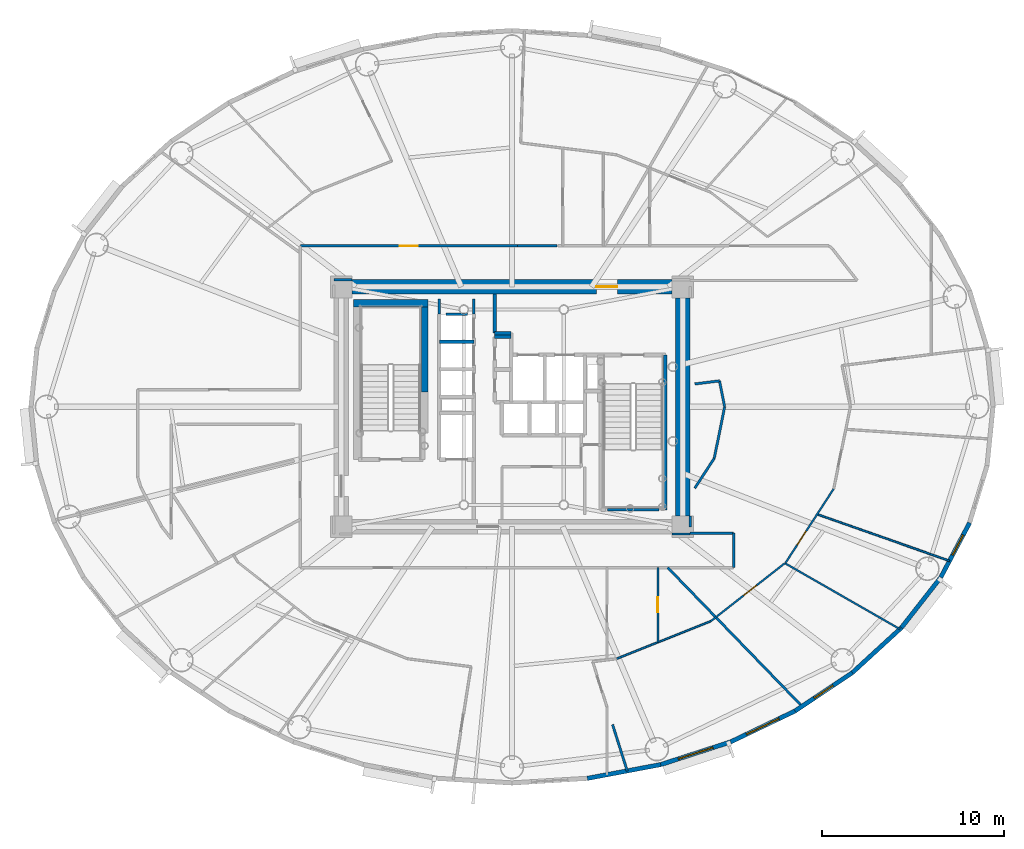
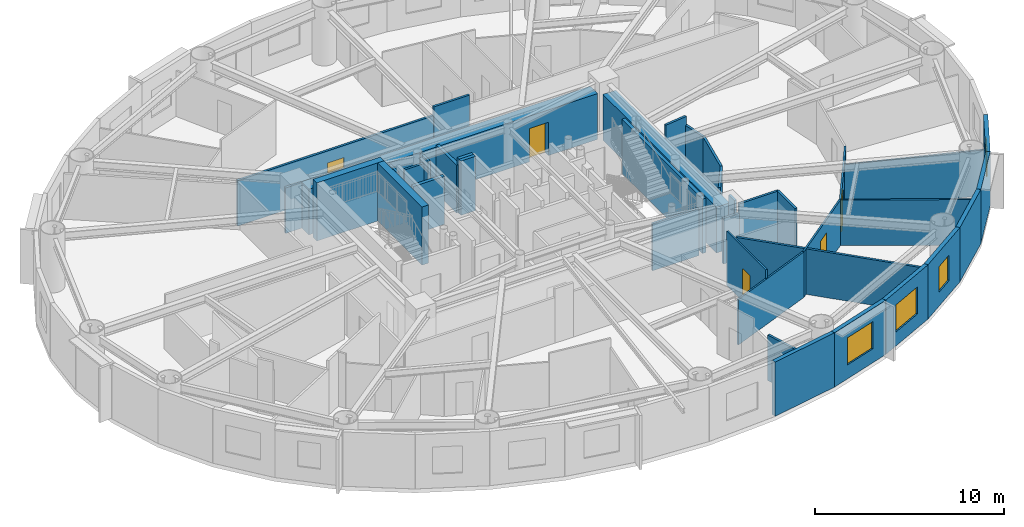
# One storey, part 9 of 17: 39 walls, 5 doors, 4 windows, 9 openings.
"""IFC4 building model written with IfcOpenShell, lengths in metres."""

import ifcopenshell
import ifcopenshell.guid

model = None  # the IFC model being written
_history = None  # IfcOwnerHistory: only IFC2X3 demands one
_inside = {}  # id of a spatial element -> (the spatial element, [elements in it])
_under = {}  # id of a project, library or spatial element -> (it, [spatial elements below it])
_declared = {}  # id of a project -> (the project, [libraries it declares])
_typed = {}  # id of a type object -> (the type object, [elements of that type])
_made_of = {}  # id of a material, layer set ... -> (it, [elements and type objects made of it])


def new_model(schema):
    """Start an empty IFC model of exactly this schema.

    Asked for "IFC4X3", IfcOpenShell would pick the latest addendum, in which some entities
    have other attributes; the version numbers below select the first issue.
    IFC2X3 requires an IfcOwnerHistory on every rooted entity: one is made here for all.
    """
    global model, _history
    if schema == "IFC4X3":
        model = ifcopenshell.file(schema_version=(4, 3, 0, 0))
    else:
        model = ifcopenshell.file(schema=schema)
    _inside.clear()
    _under.clear()
    _declared.clear()
    _typed.clear()
    _made_of.clear()
    _history = None
    if model.schema == "IFC2X3":
        org = make("IfcOrganization", Name="unknown")
        user = make(
            "IfcPersonAndOrganization",
            ThePerson=make("IfcPerson", FamilyName="unknown"),
            TheOrganization=org,
        )
        app = make(
            "IfcApplication",
            ApplicationDeveloper=org,
            Version="unknown",
            ApplicationFullName="unknown",
            ApplicationIdentifier="unknown",
        )
        _history = make(
            "IfcOwnerHistory",
            OwningUser=user,
            OwningApplication=app,
            ChangeAction="ADDED",
            CreationDate=0,
        )
    return model


def make(cls, **values):
    """One entity of the class cls with the attributes given. An attribute that is None is left unset."""
    return model.create_entity(
        cls, **{name: value for name, value in values.items() if value is not None}
    )


def rooted(cls, **values):
    """An entity with a GlobalId (a new one), such as an element, a storey or a relation."""
    return make(cls, GlobalId=ifcopenshell.guid.new(), OwnerHistory=_history, **values)


def si_unit(unit_type, name, prefix=None):
    """IfcSIUnit, for example si_unit("LENGTHUNIT", "METRE", prefix="MILLI")."""
    return make("IfcSIUnit", UnitType=unit_type, Prefix=prefix, Name=name)


def assignment(units):
    """IfcUnitAssignment: the units of a project."""
    return None if units is None else make("IfcUnitAssignment", Units=units)


def point(xyz):
    """IfcCartesianPoint."""
    return None if xyz is None else make("IfcCartesianPoint", Coordinates=xyz)


def direction(xyz):
    """IfcDirection."""
    return None if xyz is None else make("IfcDirection", DirectionRatios=xyz)


def frame(location, z_axis=None, x_axis=None):
    """IfcAxis2Placement3D, a coordinate frame: its origin and axes. An axis left out is left unset."""
    return make(
        "IfcAxis2Placement3D",
        Location=point(location),
        Axis=direction(z_axis),
        RefDirection=direction(x_axis),
    )


def frame_2d(location, x_axis=None):
    """IfcAxis2Placement2D, a coordinate frame in the plane: its origin and x axis."""
    return make(
        "IfcAxis2Placement2D", Location=point(location), RefDirection=direction(x_axis)
    )


def origin():
    """The frame at (0, 0, 0) with its axes left unset."""
    return frame((0.0, 0.0, 0.0))


def origin_2d():
    """The frame at (0, 0) in the plane with its x axis left unset."""
    return frame_2d((0.0, 0.0))


def place(relative_to, where):
    """IfcLocalPlacement: puts the frame where relative to a parent placement (None: the world)."""
    return make(
        "IfcLocalPlacement", PlacementRelTo=relative_to, RelativePlacement=where
    )


def context(
    kind, dimensions, precision=None, world=None, true_north=None, identifier=None
):
    """IfcGeometricRepresentationContext, for example the 3D "Model" context."""
    return make(
        "IfcGeometricRepresentationContext",
        ContextIdentifier=identifier,
        ContextType=kind,
        CoordinateSpaceDimension=dimensions,
        Precision=precision,
        WorldCoordinateSystem=world,
        TrueNorth=true_north,
    )


def subcontext(parent, identifier, kind, view, scale=None):
    """IfcGeometricRepresentationSubContext, for example "Body" below "Model"."""
    return make(
        "IfcGeometricRepresentationSubContext",
        ContextIdentifier=identifier,
        ContextType=kind,
        ParentContext=parent,
        TargetScale=scale,
        TargetView=view,
    )


def project(units=None, contexts=None):
    """IfcProject with its units and contexts."""
    return rooted(
        "IfcProject",
        Name="project",
        RepresentationContexts=contexts,
        UnitsInContext=assignment(units),
    )


def spatial(cls, under=None, at=None, **own):
    """A site, building, storey or space (cls), placed at a placement, below another one or the project."""
    s = rooted(cls, ObjectPlacement=at, **own)
    if under is not None:
        _under.setdefault(under.id(), (under, []))[1].append(s)
    return s


def profile(cls, at=None, kind="AREA", **sizes):
    """A parametric profile (cls). Its sizes go by their IFC names, for example OverallWidth=200.0."""
    return make(cls, ProfileType=kind, Position=at, **sizes)


def rectangle(**sizes):
    """IfcRectangleProfileDef."""
    return profile("IfcRectangleProfileDef", **sizes)


def extrude(swept, where, along, depth):
    """IfcExtrudedAreaSolid: the profile swept, set in the frame where, extruded along a direction by depth."""
    return make(
        "IfcExtrudedAreaSolid",
        SweptArea=swept,
        Position=where,
        ExtrudedDirection=direction(along),
        Depth=depth,
    )


def shape(context_of_items, identifier, shape_type, items):
    """IfcShapeRepresentation: the items that make up one representation, for example the "Body"."""
    return make(
        "IfcShapeRepresentation",
        ContextOfItems=context_of_items,
        RepresentationIdentifier=identifier,
        RepresentationType=shape_type,
        Items=items,
    )


def source(mapping_origin, context_of_items, identifier, shape_type, items):
    """IfcRepresentationMap: a shape defined once, which mapped items show again and again."""
    return make(
        "IfcRepresentationMap",
        MappingOrigin=mapping_origin,
        MappedRepresentation=shape(context_of_items, identifier, shape_type, items),
    )


def transform(
    local_origin,
    x_axis=None,
    y_axis=None,
    z_axis=None,
    scale=None,
    scale2=None,
    scale3=None,
    uniform=True,
):
    """IfcCartesianTransformationOperator3D, or its non-uniform kind. x_axis, y_axis, z_axis: its Axis1, 2, 3."""
    if uniform:
        return make(
            "IfcCartesianTransformationOperator3D",
            Axis1=direction(x_axis),
            Axis2=direction(y_axis),
            LocalOrigin=point(local_origin),
            Scale=scale,
            Axis3=direction(z_axis),
        )
    return make(
        "IfcCartesianTransformationOperator3DnonUniform",
        Axis1=direction(x_axis),
        Axis2=direction(y_axis),
        LocalOrigin=point(local_origin),
        Scale=scale,
        Axis3=direction(z_axis),
        Scale2=scale2,
        Scale3=scale3,
    )


def mapped(mapping_source, mapping_target):
    """IfcMappedItem: shows the shape of a source again, moved by a transform."""
    return make(
        "IfcMappedItem", MappingSource=mapping_source, MappingTarget=mapping_target
    )


def material(Name=None, Category=None):
    """IfcMaterial."""
    return make("IfcMaterial", Name=Name, Category=Category)


def layer(
    of_material, thickness, ventilated=None, Name=None, Category=None, Priority=None
):
    """IfcMaterialLayer: one layer of a wall or slab, of a material (None: an air gap)."""
    return make(
        "IfcMaterialLayer",
        Material=of_material,
        LayerThickness=thickness,
        IsVentilated=ventilated,
        Name=Name,
        Category=Category,
        Priority=Priority,
    )


def layer_set(layers, Name=None):
    """IfcMaterialLayerSet."""
    return make("IfcMaterialLayerSet", MaterialLayers=layers, LayerSetName=Name)


def made_of(thing, what):
    """Note that an element or type object is made of a material, layer set ...; save() writes the relation."""
    if what is not None:
        _made_of.setdefault(what.id(), (what, []))[1].append(thing)
    return thing


def type_object(cls, material=None, **own):
    """A type object (cls), such as IfcWallType, which elements share."""
    return made_of(rooted(cls, **own), material)


def element(
    cls,
    number,
    at=None,
    inside=None,
    cuts=None,
    type_object=None,
    material=None,
    context=None,
    identifier="Body",
    shape_type=None,
    held_by="IfcProductDefinitionShape",
    body=None,
    shapes=None,
    **own,
):
    """One element of the class cls, such as IfcWall. Its Tag is "e" and its number.

    at: its placement. inside: the storey or other place that contains it. cuts: it is an
    opening in that element (IfcRelVoidsElement). A single representation is given by context,
    identifier, shape_type and body (its items); several are given by shapes. held_by: the class
    of the entity that holds the representations. save() writes the other relations.
    """
    e = rooted(cls, Tag="e%d" % number, ObjectPlacement=at, **own)
    if body is not None:
        shapes = [shape(context, identifier, shape_type, body)]
    if shapes is not None:
        e.Representation = make(held_by, Representations=shapes)
    if inside is not None:
        _inside.setdefault(inside.id(), (inside, []))[1].append(e)
    if cuts is not None:
        rooted(
            "IfcRelVoidsElement", RelatingBuildingElement=cuts, RelatedOpeningElement=e
        )
    if type_object is not None:
        _typed.setdefault(type_object.id(), (type_object, []))[1].append(e)
    return made_of(e, material)


def fill(opening, filler):
    """IfcRelFillsElement: the door or window that sits in an opening."""
    return rooted(
        "IfcRelFillsElement",
        RelatingOpeningElement=opening,
        RelatedBuildingElement=filler,
    )


def aggregate(whole, parts):
    """IfcRelAggregates: a whole, such as a stair, and the parts it consists of."""
    return rooted("IfcRelAggregates", RelatingObject=whole, RelatedObjects=parts)


def save(model, path):
    """Write the relations noted so far, then the file.

    IfcRelAggregates (storeys below a building ...), IfcRelContainedInSpatialStructure (elements
    in a storey), IfcRelDefinesByType, IfcRelAssociatesMaterial and IfcRelDeclares: one each for
    every whole, place, type object, material and project.
    """
    for whole, parts in _under.values():
        aggregate(whole, parts)
    for where, things in _inside.values():
        rooted(
            "IfcRelContainedInSpatialStructure",
            RelatedElements=things,
            RelatingStructure=where,
        )
    for kind, things in _typed.values():
        rooted("IfcRelDefinesByType", RelatedObjects=things, RelatingType=kind)
    for what, things in _made_of.values():
        rooted("IfcRelAssociatesMaterial", RelatedObjects=things, RelatingMaterial=what)
    for by, libraries in _declared.values():
        rooted("IfcRelDeclares", RelatingContext=by, RelatedDefinitions=libraries)
    model.write(path)


model = new_model("IFC4")

# Units and contexts
model_context = context("Model", 3, precision=1e-05, world=origin(), true_north=direction((0.0, 1.0)))
body_context = subcontext(model_context, "Body", "Model", "MODEL_VIEW")
ifc_project = project(units=[si_unit("LENGTHUNIT", "METRE"), si_unit("AREAUNIT", "SQUARE_METRE"), si_unit("VOLUMEUNIT", "CUBIC_METRE"), si_unit("PLANEANGLEUNIT", "RADIAN"), si_unit("MASSUNIT", "GRAM", prefix="KILO")], contexts=[model_context])

# Site, building, storey
site_placement = place(None, origin())
site = spatial("IfcSite", under=ifc_project, at=site_placement, CompositionType="ELEMENT")
building_placement = place(site_placement, origin())
building = spatial("IfcBuilding", under=site, at=building_placement, Name="Linh Dai School and Residence Tower", CompositionType="ELEMENT")
storey_placement = place(building_placement, frame((0.0, 0.0, 197.39990234375)))
storey = spatial("IfcBuildingStorey", under=building, at=storey_placement, Name="L48", CompositionType="ELEMENT", Elevation=197.39990234375)

# Wall
ifc_material_1 = material(Name="Precast Concrete B45 (C35/45)", Category="concrete")
ifc_layer_1 = layer(ifc_material_1, 0.239990234375)
ifc_layer_set_1 = layer_set([ifc_layer_1], Name="Precast Concrete B45 (C35/45)")
wall_type_1 = type_object("IfcWallType", Name="EW-TC-240", PredefinedType="SOLIDWALL", material=ifc_layer_set_1)
wall_1_placement = place(storey_placement, frame((44.18896484375, 7.310546875, 0.0), z_axis=(0.0, 0.0, 1.0), x_axis=(-0.982788108205, -0.184736391573, 0.0)))
element("IfcWall", 1, at=wall_1_placement, inside=storey, type_object=wall_type_1, Name="L48 Terracotta Exterior Wall 32", PredefinedType="SOLIDWALL", context=body_context, shape_type="SweptSolid", body=[
    extrude(rectangle(XDim=4.114013671875, YDim=0.239990234375, at=frame_2d((2.05712890625, 0.0))), origin(), (0.0, 0.0, 1.0), 3.5),
])

# Wall, opening, window
wall_2_placement = place(storey_placement, frame((48.02978515625, 8.556396484375, 0.0), z_axis=(0.0, 0.0, 1.0), x_axis=(-0.951209870236, -0.30854462038, 0.0)))
wall_2 = element("IfcWall", 2, at=wall_2_placement, inside=storey, type_object=wall_type_1, Name="L48 Terracotta Exterior Wall 33", PredefinedType="SOLIDWALL", context=body_context, shape_type="SweptSolid", body=[
    extrude(rectangle(XDim=4.037841796875, YDim=0.239990234375, at=frame_2d((2.01904296875, 0.0))), origin(), (0.0, 0.0, 1.0), 3.5),
])
opening_1_placement = place(wall_2_placement, frame((1.01904296875, 0.0, 0.89990234375)))
opening_1 = element("IfcOpeningElement", 3, at=opening_1_placement, cuts=wall_2, Name="Opening W1", PredefinedType="OPENING", context=body_context, shape_type="SweptSolid", body=[
    extrude(rectangle(XDim=2.0, YDim=1.75, at=origin_2d()), frame((1.0, 0.1298828125, 0.875), z_axis=(0.0, -1.0, 0.0), x_axis=(1.0, 0.0, 0.0)), (0.0, 0.0, 1.0), 0.260009765625),
])
ifc_material_2 = material(Name="Double Low-E Insulated Glazing", Category="glass")
window_type_1 = type_object("IfcWindowType", Name="WN-RES-2000x1750", PartitioningType="DOUBLE_PANEL_VERTICAL", PredefinedType="WINDOW", material=ifc_material_2)
shared_shape_1 = source(origin(), body_context, "Body", "SweptSolid", [
    extrude(rectangle(XDim=2.0, YDim=1.75, at=origin_2d()), frame((1.0, 0.030029296875, 0.875), z_axis=(0.0, -1.0, 0.0), x_axis=(1.0, 0.0, 0.0)), (0.0, 0.0, 1.0), 0.06005859375),
])
window_1_placement = place(opening_1_placement, origin())
window_1 = element("IfcWindow", 4, at=window_1_placement, inside=storey, type_object=window_type_1, Name="L48 Exterior Window 33.1", OverallHeight=1.75, OverallWidth=2.0, PartitioningType="DOUBLE_PANEL_VERTICAL", PredefinedType="WINDOW", context=body_context, shape_type="MappedRepresentation", body=[
    mapped(shared_shape_1, transform((0.0, 0.0, 0.0), x_axis=(1.0, 0.0, 0.0), y_axis=(0.0, 1.0, 0.0), z_axis=(0.0, 0.0, 1.0), scale=1.0)),
])
fill(opening_1, window_1)

wall_3_placement = place(storey_placement, frame((51.5732421875, 10.2568359375, 0.0), z_axis=(0.0, 0.0, 1.0), x_axis=(-0.901564733809, -0.432644231155, 0.0)))
wall_3 = element("IfcWall", 5, at=wall_3_placement, inside=storey, type_object=wall_type_1, Name="L48 Terracotta Exterior Wall 34", PredefinedType="SOLIDWALL", context=body_context, shape_type="SweptSolid", body=[
    extrude(rectangle(XDim=3.930419921875, YDim=0.239990234375, at=frame_2d((1.96533203125, 0.0))), origin(), (0.0, 0.0, 1.0), 3.5),
])
opening_2_placement = place(wall_3_placement, frame((0.96533203125, 0.0, 0.89990234375)))
opening_2 = element("IfcOpeningElement", 6, at=opening_2_placement, cuts=wall_3, Name="Opening W1", PredefinedType="OPENING", context=body_context, shape_type="SweptSolid", body=[
    extrude(rectangle(XDim=2.0, YDim=1.75, at=origin_2d()), frame((1.0, 0.1298828125, 0.875), z_axis=(0.0, -1.0, 0.0), x_axis=(1.0, 0.0, 0.0)), (0.0, 0.0, 1.0), 0.260009765625),
])
window_2_placement = place(opening_2_placement, origin())
window_2 = element("IfcWindow", 7, at=window_2_placement, inside=storey, type_object=window_type_1, Name="L48 Exterior Window 34.1", OverallHeight=1.75, OverallWidth=2.0, PartitioningType="DOUBLE_PANEL_VERTICAL", PredefinedType="WINDOW", context=body_context, shape_type="MappedRepresentation", body=[
    mapped(shared_shape_1, transform((0.0, 0.0, 0.0), x_axis=(1.0, 0.0, 0.0), y_axis=(0.0, 1.0, 0.0), z_axis=(0.0, 0.0, 1.0), scale=1.0)),
])
fill(opening_2, window_2)

wall_4_placement = place(storey_placement, frame((54.73193359375, 12.369384765625, 0.0), z_axis=(0.0, 0.0, 1.0), x_axis=(-0.831228998277, -0.555930168657, 0.0)))
wall_4 = element("IfcWall", 8, at=wall_4_placement, inside=storey, type_object=wall_type_1, Name="L48 Terracotta Exterior Wall 35", PredefinedType="SOLIDWALL", context=body_context, shape_type="SweptSolid", body=[
    extrude(rectangle(XDim=3.800048828125, YDim=0.239990234375, at=frame_2d((1.89990234375, 0.0))), origin(), (0.0, 0.0, 1.0), 3.5),
])
opening_3_placement = place(wall_4_placement, frame((1.27490234375, 0.0, 0.89990234375)))
opening_3 = element("IfcOpeningElement", 9, at=opening_3_placement, cuts=wall_4, Name="Opening W3", PredefinedType="OPENING", context=body_context, shape_type="SweptSolid", body=[
    extrude(rectangle(XDim=1.25, YDim=1.64990234375, at=origin_2d()), frame((0.625, 0.1298828125, 0.824951171875), z_axis=(0.0, -1.0, 0.0), x_axis=(1.0, 0.0, 0.0)), (0.0, 0.0, 1.0), 0.260009765625),
])
window_type_2 = type_object("IfcWindowType", Name="WN-RES-1250x1650", PartitioningType="SINGLE_PANEL", PredefinedType="WINDOW", material=ifc_material_2)
shared_shape_2 = source(origin(), body_context, "Body", "SweptSolid", [
    extrude(rectangle(XDim=1.25, YDim=1.64990234375, at=origin_2d()), frame((0.625, 0.030029296875, 0.824951171875), z_axis=(0.0, -1.0, 0.0), x_axis=(1.0, 0.0, 0.0)), (0.0, 0.0, 1.0), 0.06005859375),
])
window_3_placement = place(opening_3_placement, origin())
window_3 = element("IfcWindow", 10, at=window_3_placement, inside=storey, type_object=window_type_2, Name="L48 Dwelling Window U4802-BD1", OverallHeight=1.64990234375, OverallWidth=1.25, PartitioningType="SINGLE_PANEL", PredefinedType="WINDOW", context=body_context, shape_type="MappedRepresentation", body=[
    mapped(shared_shape_2, transform((0.0, 0.0, 0.0), x_axis=(1.0, 0.0, 0.0), y_axis=(0.0, 1.0, 0.0), z_axis=(0.0, 0.0, 1.0), scale=1.0)),
])
fill(opening_3, window_3)

# Walls
wall_5_placement = place(storey_placement, frame((57.42822265625, 14.841552734375, 0.0), z_axis=(0.0, 0.0, 1.0), x_axis=(-0.737076565834, -0.675809245349, 0.0)))
element("IfcWall", 11, at=wall_5_placement, inside=storey, type_object=wall_type_1, Name="L48 Terracotta Exterior Wall 36", PredefinedType="SOLIDWALL", context=body_context, shape_type="SweptSolid", body=[
    extrude(rectangle(XDim=3.658203125, YDim=0.239990234375, at=frame_2d((1.8291015625, 0.0))), origin(), (0.0, 0.0, 1.0), 3.5),
])
wall_6_placement = place(storey_placement, frame((59.595947265625, 17.611572265625, 0.0), z_axis=(0.0, 0.0, 1.0), x_axis=(-0.616287674549, -0.787521112224, 0.0)))
element("IfcWall", 12, at=wall_6_placement, inside=storey, type_object=wall_type_1, Name="L48 Terracotta Exterior Wall 37", PredefinedType="SOLIDWALL", context=body_context, shape_type="SweptSolid", body=[
    extrude(rectangle(XDim=3.517333984375, YDim=0.239990234375, at=frame_2d((1.7587890625, 0.0))), origin(), (0.0, 0.0, 1.0), 3.5),
])

# Wall, opening, window
wall_7_placement = place(storey_placement, frame((61.1826171875, 20.611083984375, 0.0), z_axis=(0.0, 0.0, 1.0), x_axis=(-0.467586874938, -0.88394712194, 0.0)))
wall_7 = element("IfcWall", 13, at=wall_7_placement, inside=storey, type_object=wall_type_1, Name="L48 Terracotta Exterior Wall 38", PredefinedType="SOLIDWALL", context=body_context, shape_type="SweptSolid", body=[
    extrude(rectangle(XDim=3.393310546875, YDim=0.239990234375, at=frame_2d((1.69677734375, 0.0))), origin(), (0.0, 0.0, 1.0), 3.5),
])
opening_4_placement = place(wall_7_placement, frame((0.761962890625, 0.0, 0.89990234375)))
opening_4 = element("IfcOpeningElement", 14, at=opening_4_placement, cuts=wall_7, Name="Opening W3", PredefinedType="OPENING", context=body_context, shape_type="SweptSolid", body=[
    extrude(rectangle(XDim=1.25, YDim=1.64990234375, at=origin_2d()), frame((0.625, 0.1298828125, 0.824951171875), z_axis=(0.0, -1.0, 0.0), x_axis=(1.0, 0.0, 0.0)), (0.0, 0.0, 1.0), 0.260009765625),
])
window_4_placement = place(opening_4_placement, origin())
window_4 = element("IfcWindow", 15, at=window_4_placement, inside=storey, type_object=window_type_2, Name="L48 Exterior Window 38.1", OverallHeight=1.64990234375, OverallWidth=1.25, PartitioningType="SINGLE_PANEL", PredefinedType="WINDOW", context=body_context, shape_type="MappedRepresentation", body=[
    mapped(shared_shape_2, transform((0.0, 0.0, 0.0), x_axis=(1.0, 0.0, 0.0), y_axis=(0.0, 1.0, 0.0), z_axis=(0.0, 0.0, 1.0), scale=1.0)),
])
fill(opening_4, window_4)

# Wall, opening, door
ifc_material_3 = material(Name="Autoclaved Aerated Concrete Blockwork", Category="masonry")
ifc_layer_2 = layer(ifc_material_3, 0.135009765625)
ifc_layer_set_2 = layer_set([ifc_layer_2], Name="Autoclaved Aerated Concrete Blockwork")
wall_type_2 = type_object("IfcWallType", Name="IW-CORR-135-EI90", PredefinedType="PARTITIONING", material=ifc_layer_set_2)
wall_8_placement = place(storey_placement, frame((24.35009765625, 35.85009765625, 0.0), z_axis=(0.0, 0.0, 1.0), x_axis=(1.0, 0.0, 0.0)))
wall_8 = element("IfcWall", 16, at=wall_8_placement, inside=storey, type_object=wall_type_2, Name="L48 Interior Partition Wall 022", PredefinedType="PARTITIONING", context=body_context, shape_type="SweptSolid", body=[
    extrude(rectangle(XDim=11.9423828125, YDim=0.135009765625, at=frame_2d((5.97119140625, 0.0))), origin(), (0.0, 0.0, 1.0), 2.93505859375),
])
opening_5_placement = place(wall_8_placement, frame((5.47119140625, 0.0, 0.0)))
opening_5 = element("IfcOpeningElement", 17, at=opening_5_placement, cuts=wall_8, Name="Opening D03", PredefinedType="OPENING", context=body_context, shape_type="SweptSolid", body=[
    extrude(rectangle(XDim=1.0, YDim=2.14990234375, at=origin_2d()), frame((0.5, 0.07763671875, 1.074951171875), z_axis=(0.0, -1.0, 0.0), x_axis=(1.0, 0.0, 0.0)), (0.0, 0.0, 1.0), 0.155029296875),
])
ifc_material_4 = material(Name="Fire-Rated Solid Timber Entrance Door", Category="wood")
door_type_1 = type_object("IfcDoorType", Name="DR-FLAT-1000x2150-FD60S", OperationType="NOTDEFINED", PredefinedType="DOOR", material=ifc_material_4)
shared_shape_3 = source(origin(), body_context, "Body", "SweptSolid", [
    extrude(rectangle(XDim=1.0, YDim=2.14990234375, at=origin_2d()), frame((0.5, 0.02490234375, 1.074951171875), z_axis=(0.0, -1.0, 0.0), x_axis=(1.0, 0.0, 0.0)), (0.0, 0.0, 1.0), 0.050048828125),
])
door_1_placement = place(opening_5_placement, origin())
door_1 = element("IfcDoor", 18, at=door_1_placement, inside=storey, type_object=door_type_1, Name="L48 U4803 Apartment Entrance Door", OperationType="SINGLE_SWING_RIGHT", OverallHeight=2.14990234375, OverallWidth=1.0, PredefinedType="DOOR", context=body_context, shape_type="MappedRepresentation", body=[
    mapped(shared_shape_3, transform((0.0, 0.0, 0.0), x_axis=(1.0, 0.0, 0.0), y_axis=(0.0, 1.0, 0.0), z_axis=(0.0, 0.0, 1.0), scale=1.0)),
])
fill(opening_5, door_1)

# Walls
wall_9_placement = place(storey_placement, frame((44.570556640625, 18.14990234375, 0.0), z_axis=(0.0, 0.0, 1.0), x_axis=(0.695670435579, -0.718361082647, 0.0)))
element("IfcWall", 19, at=wall_9_placement, inside=storey, type_object=wall_type_2, Name="L48 Interior Partition Wall 073", PredefinedType="PARTITIONING", context=body_context, shape_type="SweptSolid", body=[
    extrude(rectangle(XDim=10.63037109375, YDim=0.135009765625, at=frame_2d((5.315185546875, 0.0))), origin(), (0.0, 0.0, 1.0), 2.93505859375),
])
wall_10_placement = place(storey_placement, frame((45.800048828125, 20.050048828125, 0.0), z_axis=(0.0, 0.0, 1.0), x_axis=(1.0, 0.0, 0.0)))
element("IfcWall", 20, at=wall_10_placement, inside=storey, type_object=wall_type_2, Name="L48 Interior Partition Wall 074", PredefinedType="PARTITIONING", context=body_context, shape_type="SweptSolid", body=[
    extrude(rectangle(XDim=2.39990234375, YDim=0.135009765625, at=frame_2d((1.199951171875, 0.0))), origin(), (0.0, 0.0, 1.0), 3.5),
])
wall_11_placement = place(storey_placement, frame((48.199951171875, 18.14990234375, 0.0), z_axis=(0.0, 0.0, 1.0), x_axis=(0.0, 1.0, 0.0)))
element("IfcWall", 21, at=wall_11_placement, inside=storey, type_object=wall_type_2, Name="L48 Interior Partition Wall 079", PredefinedType="PARTITIONING", context=body_context, shape_type="SweptSolid", body=[
    extrude(rectangle(XDim=1.900146484375, YDim=0.135009765625, at=frame_2d((0.9501953125, 0.0))), origin(), (0.0, 0.0, 1.0), 3.5),
])
wall_12_placement = place(storey_placement, frame((44.080078125, 21.330078125, 0.0), z_axis=(0.0, 0.0, 1.0), x_axis=(-1.0, 0.0, 0.0)))
element("IfcWall", 22, at=wall_12_placement, inside=storey, type_object=wall_type_2, Name="L48 Interior Partition Wall 091", PredefinedType="PARTITIONING", context=body_context, shape_type="SweptSolid", body=[
    extrude(rectangle(XDim=2.820068359375, YDim=0.135009765625, at=frame_2d((1.41015625, 0.0))), origin(), (0.0, 0.0, 1.0), 3.03515625),
])
wall_13_placement = place(storey_placement, frame((32.360107421875, 32.10009765625, 0.0), z_axis=(0.0, 0.0, 1.0), x_axis=(1.0, 0.0, 0.0)))
element("IfcWall", 23, at=wall_13_placement, inside=storey, type_object=wall_type_2, Name="L48 Interior Partition Wall 092", PredefinedType="PARTITIONING", context=body_context, shape_type="SweptSolid", body=[
    extrude(rectangle(XDim=1.179931640625, YDim=0.135009765625, at=frame_2d((0.58984375, 0.0))), origin(), (0.0, 0.0, 1.0), 3.085205078125),
])
wall_14_placement = place(storey_placement, frame((32.0, 32.93994140625, 0.0), z_axis=(0.0, 0.0, 1.0), x_axis=(0.0, -1.0, 0.0)))
element("IfcWall", 24, at=wall_14_placement, inside=storey, type_object=wall_type_2, Name="L48 Interior Partition Wall 094", PredefinedType="PARTITIONING", context=body_context, shape_type="SweptSolid", body=[
    extrude(rectangle(XDim=0.829833984375, YDim=0.135009765625, at=frame_2d((0.4150390625, 0.0))), origin(), (0.0, 0.0, 1.0), 3.03515625),
])
wall_15_placement = place(storey_placement, frame((33.89990234375, 32.110107421875, 0.0), z_axis=(0.0, 0.0, 1.0), x_axis=(0.0, 1.0, 0.0)))
element("IfcWall", 25, at=wall_15_placement, inside=storey, type_object=wall_type_2, Name="L48 Interior Partition Wall 095", PredefinedType="PARTITIONING", context=body_context, shape_type="SweptSolid", body=[
    extrude(rectangle(XDim=0.829833984375, YDim=0.135009765625, at=frame_2d((0.4150390625, 0.0))), origin(), (0.0, 0.0, 1.0), 3.085205078125),
])
wall_16_placement = place(storey_placement, frame((36.30224609375, 35.85009765625, 0.0), z_axis=(0.0, 0.0, 1.0), x_axis=(1.0, 0.0, 0.0)))
element("IfcWall", 26, at=wall_16_placement, inside=storey, type_object=wall_type_2, Name="L48 Interior Partition Wall 097", PredefinedType="PARTITIONING", context=body_context, shape_type="SweptSolid", body=[
    extrude(rectangle(XDim=2.1865234375, YDim=0.135009765625, at=frame_2d((1.09326171875, 0.0))), origin(), (0.0, 0.0, 1.0), 3.5),
])
wall_17_placement = place(storey_placement, frame((27.18994140625, 34.0, 0.0), z_axis=(0.0, 0.0, 1.0), x_axis=(-1.0, 0.0, 0.0)))
element("IfcWall", 27, at=wall_17_placement, inside=storey, type_object=wall_type_2, Name="L48 Interior Partition Wall 099", PredefinedType="PARTITIONING", context=body_context, shape_type="SweptSolid", body=[
    extrude(rectangle(XDim=0.989990234375, YDim=0.135009765625, at=frame_2d((0.4951171875, 0.0))), origin(), (0.0, 0.0, 1.0), 2.93505859375),
])
wall_18_placement = place(storey_placement, frame((44.81005859375, 20.0, 0.0), z_axis=(0.0, 0.0, 1.0), x_axis=(1.0, 0.0, 0.0)))
element("IfcWall", 28, at=wall_18_placement, inside=storey, type_object=wall_type_2, Name="L48 Interior Partition Wall 103", PredefinedType="PARTITIONING", context=body_context, shape_type="SweptSolid", body=[
    extrude(rectangle(XDim=0.97998046875, YDim=0.135009765625, at=frame_2d((0.489990234375, 0.0))), origin(), (0.0, 0.0, 1.0), 2.93505859375),
])
wall_19_placement = place(storey_placement, frame((42.342529296875, 6.95849609375, 0.0), z_axis=(0.0, 0.0, 1.0), x_axis=(-0.30175084808, 0.953386818496, 0.0)))
element("IfcWall", 29, at=wall_19_placement, inside=storey, type_object=wall_type_2, Name="L48 Interior Partition Wall 109", PredefinedType="PARTITIONING", context=body_context, shape_type="SweptSolid", body=[
    extrude(rectangle(XDim=2.677978515625, YDim=0.135009765625, at=frame_2d((1.3388671875, 0.0))), origin(), (0.0, 0.0, 1.0), 2.93505859375),
])
wall_20_placement = place(storey_placement, frame((46.06005859375, 22.521484375, 0.0), z_axis=(0.0, 0.0, 1.0), x_axis=(0.545342221334, 0.838213494064, 0.0)))
element("IfcWall", 30, at=wall_20_placement, inside=storey, type_object=wall_type_2, Name="L48 Interior Partition Wall 110", PredefinedType="PARTITIONING", context=body_context, shape_type="SweptSolid", body=[
    extrude(rectangle(XDim=1.9638671875, YDim=0.135009765625, at=frame_2d((0.98193359375, 0.0))), origin(), (0.0, 0.0, 1.0), 2.93505859375),
])
wall_21_placement = place(storey_placement, frame((47.131103515625, 24.167724609375, 0.0), z_axis=(0.0, 0.0, 1.0), x_axis=(0.198292837027, 0.980142821625, 0.0)))
element("IfcWall", 31, at=wall_21_placement, inside=storey, type_object=wall_type_2, Name="L48 Interior Partition Wall 111", PredefinedType="PARTITIONING", context=body_context, shape_type="SweptSolid", body=[
    extrude(rectangle(XDim=2.8896484375, YDim=0.135009765625, at=frame_2d((1.44482421875, 0.0))), origin(), (0.0, 0.0, 1.0), 2.93505859375),
])
wall_22_placement = place(storey_placement, frame((47.7041015625, 27.0, 0.0), z_axis=(0.0, 0.0, 1.0), x_axis=(-0.198309620267, 0.980139426056, 0.0)))
element("IfcWall", 32, at=wall_22_placement, inside=storey, type_object=wall_type_2, Name="L48 Interior Partition Wall 112", PredefinedType="PARTITIONING", context=body_context, shape_type="SweptSolid", body=[
    extrude(rectangle(XDim=1.455078125, YDim=0.135009765625, at=frame_2d((0.7275390625, 0.0))), origin(), (0.0, 0.0, 1.0), 2.93505859375),
])
wall_23_placement = place(storey_placement, frame((47.41552734375, 28.42626953125, 0.0), z_axis=(0.0, 0.0, 1.0), x_axis=(-0.992277876714, -0.124034734589, 0.0)))
element("IfcWall", 33, at=wall_23_placement, inside=storey, type_object=wall_type_2, Name="L48 Interior Partition Wall 113", PredefinedType="PARTITIONING", context=body_context, shape_type="SweptSolid", body=[
    extrude(rectangle(XDim=1.365966796875, YDim=0.135009765625, at=frame_2d((0.68310546875, 0.0))), origin(), (0.0, 0.0, 1.0), 3.5),
])
wall_24_placement = place(storey_placement, frame((45.800048828125, 20.37744140625, 0.0), z_axis=(0.0, 0.0, 1.0), x_axis=(0.0, 1.0, 0.0)))
element("IfcWall", 34, at=wall_24_placement, inside=storey, type_object=wall_type_2, Name="L48 Interior Partition Wall 115", PredefinedType="PARTITIONING", context=body_context, shape_type="SweptSolid", body=[
    extrude(rectangle(XDim=0.612548828125, YDim=0.135009765625, at=frame_2d((0.30615234375, 0.0))), origin(), (0.0, 0.0, 1.0), 3.5),
])
ifc_material_5 = material(Name="Concrete B45 (C35/45)", Category="concrete")
ifc_layer_3 = layer(ifc_material_5, 0.199951171875)
ifc_layer_set_3 = layer_set([ifc_layer_3], Name="Concrete B45 (C35/45)")
wall_type_3 = type_object("IfcWallType", Name="IW-SHAFT-200-EI120", PredefinedType="PARTITIONING", material=ifc_layer_set_3)
wall_25_placement = place(storey_placement, frame((32.0, 30.580078125, 0.0), z_axis=(0.0, 0.0, 1.0), x_axis=(1.0, 0.0, 0.0)))
element("IfcWall", 35, at=wall_25_placement, inside=storey, type_object=wall_type_3, Name="L48 Interior Partition Wall 034", PredefinedType="PARTITIONING", context=body_context, shape_type="SweptSolid", body=[
    extrude(rectangle(XDim=1.89990234375, YDim=0.199951171875, at=frame_2d((0.949951171875, 0.0))), origin(), (0.0, 0.0, 1.0), 3.085205078125),
])
wall_26_placement = place(storey_placement, frame((35.050048828125, 30.85009765625, 0.0), z_axis=(0.0, 0.0, 1.0), x_axis=(1.0, 0.0, 0.0)))
element("IfcWall", 36, at=wall_26_placement, inside=storey, type_object=wall_type_3, Name="L48 Interior Partition Wall 041", PredefinedType="PARTITIONING", context=body_context, shape_type="SweptSolid", body=[
    extrude(rectangle(XDim=0.89990234375, YDim=0.199951171875, at=frame_2d((0.449951171875, 0.0))), origin(), (0.0, 0.0, 1.0), 3.5),
])
wall_27_placement = place(storey_placement, frame((35.050048828125, 31.050048828125, 0.0), z_axis=(0.0, 0.0, 1.0), x_axis=(0.0, 1.0, 0.0)))
element("IfcWall", 37, at=wall_27_placement, inside=storey, type_object=wall_type_3, Name="L48 Interior Partition Wall 042", PredefinedType="PARTITIONING", context=body_context, shape_type="SweptSolid", body=[
    extrude(rectangle(XDim=2.14990234375, YDim=0.199951171875, at=frame_2d((1.074951171875, 0.0))), origin(), (0.0, 0.0, 1.0), 3.085205078125),
])
wall_28_placement = place(storey_placement, frame((35.050048828125, 31.050048828125, 0.0), z_axis=(0.0, 0.0, 1.0), x_axis=(1.0, 0.0, 0.0)))
element("IfcWall", 38, at=wall_28_placement, inside=storey, type_object=wall_type_3, Name="L48 Interior Partition Wall 043", PredefinedType="PARTITIONING", context=body_context, shape_type="SweptSolid", body=[
    extrude(rectangle(XDim=0.89990234375, YDim=0.199951171875, at=frame_2d((0.449951171875, 0.0))), origin(), (0.0, 0.0, 1.0), 3.5),
])
wall_29_placement = place(storey_placement, frame((44.43994140625, 21.330078125, 0.0), z_axis=(0.0, 0.0, 1.0), x_axis=(0.0, 1.0, 0.0)))
element("IfcWall", 39, at=wall_29_placement, inside=storey, type_object=wall_type_3, Name="L48 Interior Partition Wall 072", PredefinedType="PARTITIONING", context=body_context, shape_type="SweptSolid", body=[
    extrude(rectangle(XDim=8.52001953125, YDim=0.199951171875, at=frame_2d((4.260009765625, 0.0))), origin(), (0.0, 0.0, 1.0), 3.5),
])
ifc_material_6 = material(Name="Gypsum Plasterboard Acoustic Stud Partition", Category="masonry")
ifc_layer_4 = layer(ifc_material_6, 0.10009765625)
ifc_layer_set_4 = layer_set([ifc_layer_4], Name="Gypsum Plasterboard Acoustic Stud Partition")
wall_type_4 = type_object("IfcWallType", Name="IW-UNIT-100", PredefinedType="PARTITIONING", material=ifc_layer_set_4)
wall_30_placement = place(storey_placement, frame((41.75390625, 13.132568359375, 0.0), z_axis=(0.0, 0.0, 1.0), x_axis=(0.928798710424, 0.370584613166, 0.0)))
element("IfcWall", 40, at=wall_30_placement, inside=storey, type_object=wall_type_4, Name="L48 Interior Partition Wall 068", PredefinedType="PARTITIONING", context=body_context, shape_type="SweptSolid", body=[
    extrude(rectangle(XDim=5.588623046875, YDim=0.10009765625, at=frame_2d((2.79443359375, 0.0))), origin(), (0.0, 0.0, 1.0), 2.93505859375),
])

# Wall, opening, door
wall_31_placement = place(storey_placement, frame((44.03076171875, 14.041259765625, 0.0), z_axis=(0.0, 0.0, 1.0), x_axis=(0.0, 1.0, 0.0)))
wall_31 = element("IfcWall", 41, at=wall_31_placement, inside=storey, type_object=wall_type_4, Name="L48 Interior Partition Wall 071", PredefinedType="PARTITIONING", context=body_context, shape_type="SweptSolid", body=[
    extrude(rectangle(XDim=4.108642578125, YDim=0.10009765625, at=frame_2d((2.05419921875, 0.0))), origin(), (0.0, 0.0, 1.0), 3.5),
])
opening_6_placement = place(wall_31_placement, frame((1.644287109375, 0.0, 0.0)))
opening_6 = element("IfcOpeningElement", 42, at=opening_6_placement, cuts=wall_31, Name="Opening D06", PredefinedType="OPENING", context=body_context, shape_type="SweptSolid", body=[
    extrude(rectangle(XDim=0.820068359375, YDim=2.10009765625, at=origin_2d()), frame((0.41015625, 0.06005859375, 1.050048828125), z_axis=(0.0, -1.0, 0.0), x_axis=(1.0, 0.0, 0.0)), (0.0, 0.0, 1.0), 0.1201171875),
])
ifc_material_7 = material(Name="Moisture-Resistant Timber Bathroom Door", Category="wood")
door_type_2 = type_object("IfcDoorType", Name="DR-WET-820x2100", OperationType="NOTDEFINED", PredefinedType="DOOR", material=ifc_material_7)
shared_shape_4 = source(origin(), body_context, "Body", "SweptSolid", [
    extrude(rectangle(XDim=0.820068359375, YDim=2.10009765625, at=origin_2d()), frame((0.41015625, 0.02490234375, 1.050048828125), z_axis=(0.0, -1.0, 0.0), x_axis=(1.0, 0.0, 0.0)), (0.0, 0.0, 1.0), 0.050048828125),
])
door_2_placement = place(opening_6_placement, origin())
door_2 = element("IfcDoor", 43, at=door_2_placement, inside=storey, type_object=door_type_2, Name="L48 Apartment U4801 Bathroom 1 Door", OperationType="SINGLE_SWING_RIGHT", OverallHeight=2.10009765625, OverallWidth=0.820068359375, PredefinedType="DOOR", context=body_context, shape_type="MappedRepresentation", body=[
    mapped(shared_shape_4, transform((0.0, 0.0, 0.0), x_axis=(1.0, 0.0, 0.0), y_axis=(0.0, 1.0, 0.0), z_axis=(0.0, 0.0, 1.0), scale=1.0)),
])
fill(opening_6, door_2)

wall_32_placement = place(storey_placement, frame((46.944580078125, 15.20361328125, 0.0), z_axis=(0.0, 0.0, 1.0), x_axis=(0.787319701233, 0.616544960282, 0.0)))
wall_32 = element("IfcWall", 44, at=wall_32_placement, inside=storey, type_object=wall_type_4, Name="L48 Interior Partition Wall 077", PredefinedType="PARTITIONING", context=body_context, shape_type="SweptSolid", body=[
    extrude(rectangle(XDim=5.17236328125, YDim=0.10009765625, at=frame_2d((2.586181640625, 0.0))), origin(), (0.0, 0.0, 1.0), 2.93505859375),
])
opening_7_placement = place(wall_32_placement, frame((2.289306640625, 0.0, 0.0)))
opening_7 = element("IfcOpeningElement", 45, at=opening_7_placement, cuts=wall_32, Name="Opening D05", PredefinedType="OPENING", context=body_context, shape_type="SweptSolid", body=[
    extrude(rectangle(XDim=0.89990234375, YDim=2.10009765625, at=origin_2d()), frame((0.449951171875, 0.06005859375, 1.050048828125), z_axis=(0.0, -1.0, 0.0), x_axis=(1.0, 0.0, 0.0)), (0.0, 0.0, 1.0), 0.1201171875),
])
ifc_material_8 = material(Name="Engineered Timber Internal Door", Category="wood")
door_type_3 = type_object("IfcDoorType", Name="DR-INT-900x2100", OperationType="NOTDEFINED", PredefinedType="DOOR", material=ifc_material_8)
shared_shape_5 = source(origin(), body_context, "Body", "SweptSolid", [
    extrude(rectangle(XDim=0.89990234375, YDim=2.10009765625, at=origin_2d()), frame((0.449951171875, 0.02490234375, 1.050048828125), z_axis=(0.0, -1.0, 0.0), x_axis=(1.0, 0.0, 0.0)), (0.0, 0.0, 1.0), 0.050048828125),
])
door_3_placement = place(opening_7_placement, origin())
door_3 = element("IfcDoor", 46, at=door_3_placement, inside=storey, type_object=door_type_3, Name="L48 Apartment U4802 Principal Bedroom 1 Door", OperationType="SINGLE_SWING_RIGHT", OverallHeight=2.10009765625, OverallWidth=0.89990234375, PredefinedType="DOOR", context=body_context, shape_type="MappedRepresentation", body=[
    mapped(shared_shape_5, transform((0.0, 0.0, 0.0), x_axis=(1.0, 0.0, 0.0), y_axis=(0.0, 1.0, 0.0), z_axis=(0.0, 0.0, 1.0), scale=1.0)),
])
fill(opening_7, door_3)

# Wall
wall_33_placement = place(storey_placement, frame((51.016845703125, 18.392578125, 0.0), z_axis=(0.0, 0.0, 1.0), x_axis=(0.867591997953, -0.497276708773, 0.0)))
element("IfcWall", 47, at=wall_33_placement, inside=storey, type_object=wall_type_4, Name="L48 Interior Partition Wall 081", PredefinedType="PARTITIONING", context=body_context, shape_type="SweptSolid", body=[
    extrude(rectangle(XDim=7.299560546875, YDim=0.10009765625, at=frame_2d((3.64990234375, 0.0))), origin(), (0.0, 0.0, 1.0), 2.93505859375),
])

# Wall, opening, door
wall_34_placement = place(storey_placement, frame((51.06396484375, 18.429443359375, 0.0), z_axis=(0.0, 0.0, 1.0), x_axis=(0.545382906853, 0.838187022634, 0.0)))
wall_34 = element("IfcWall", 48, at=wall_34_placement, inside=storey, type_object=wall_type_4, Name="L48 Interior Partition Wall 082", PredefinedType="PARTITIONING", context=body_context, shape_type="SweptSolid", body=[
    extrude(rectangle(XDim=4.849365234375, YDim=0.10009765625, at=frame_2d((2.4248046875, 0.0))), origin(), (0.0, 0.0, 1.0), 2.93505859375),
])
opening_8_placement = place(wall_34_placement, frame((1.155029296875, 0.0, 0.0)))
opening_8 = element("IfcOpeningElement", 49, at=opening_8_placement, cuts=wall_34, Name="Opening D05", PredefinedType="OPENING", context=body_context, shape_type="SweptSolid", body=[
    extrude(rectangle(XDim=0.89990234375, YDim=2.10009765625, at=origin_2d()), frame((0.449951171875, 0.06005859375, 1.050048828125), z_axis=(0.0, -1.0, 0.0), x_axis=(1.0, 0.0, 0.0)), (0.0, 0.0, 1.0), 0.1201171875),
])
door_4_placement = place(opening_8_placement, origin())
door_4 = element("IfcDoor", 50, at=door_4_placement, inside=storey, type_object=door_type_3, Name="L48 Apartment U4802 Study Door", OperationType="SINGLE_SWING_LEFT", OverallHeight=2.10009765625, OverallWidth=0.89990234375, PredefinedType="DOOR", context=body_context, shape_type="MappedRepresentation", body=[
    mapped(shared_shape_5, transform((0.0, 0.0, 0.0), x_axis=(1.0, 0.0, 0.0), y_axis=(0.0, 1.0, 0.0), z_axis=(0.0, 0.0, 1.0), scale=1.0)),
])
fill(opening_8, door_4)

# Walls
wall_35_placement = place(storey_placement, frame((52.792724609375, 21.086669921875, 0.0), z_axis=(0.0, 0.0, 1.0), x_axis=(0.94322572083, -0.33215243423, 0.0)))
element("IfcWall", 51, at=wall_35_placement, inside=storey, type_object=wall_type_4, Name="L48 Interior Partition Wall 083", PredefinedType="PARTITIONING", context=body_context, shape_type="SweptSolid", body=[
    extrude(rectangle(XDim=7.72802734375, YDim=0.10009765625, at=frame_2d((3.864013671875, 0.0))), origin(), (0.0, 0.0, 1.0), 2.93505859375),
])
ifc_layer_5 = layer(ifc_material_5, 0.39990234375)
ifc_layer_set_5 = layer_set([ifc_layer_5], Name="Concrete B45 (C35/45)")
wall_type_5 = type_object("IfcWallType", Name="WL-CORE400", PredefinedType="SHEAR", material=ifc_layer_set_5)
wall_36_placement = place(storey_placement, frame((31.179931640625, 27.800048828125, 0.0), z_axis=(0.0, 0.0, 1.0), x_axis=(0.0, 1.0, 0.0)))
element("IfcWall", 52, at=wall_36_placement, inside=storey, type_object=wall_type_5, Name="L48 Core Stair ST1 Bearing Wall E", PredefinedType="SHEAR", context=body_context, shape_type="SweptSolid", body=[
    extrude(rectangle(XDim=4.89990234375, YDim=0.39990234375, at=frame_2d((2.449951171875, 0.0))), origin(), (0.0, 0.0, 1.0), 3.75),
])
wall_37_placement = place(storey_placement, frame((27.280029296875, 32.699951171875, 0.0), z_axis=(0.0, 0.0, 1.0), x_axis=(1.0, 0.0, 0.0)))
element("IfcWall", 53, at=wall_37_placement, inside=storey, type_object=wall_type_5, Name="L48 Core Stair ST1 Bearing Wall N", PredefinedType="SHEAR", context=body_context, shape_type="SweptSolid", body=[
    extrude(rectangle(XDim=4.099853515625, YDim=0.39990234375, at=frame_2d((2.0498046875, 0.0))), origin(), (0.0, 0.0, 1.0), 3.75),
])

# Wall, opening, door
ifc_material_9 = material(Name="Concrete B60 (C50/60)", Category="concrete")
ifc_layer_6 = layer(ifc_material_9, 0.800048828125)
ifc_layer_set_6 = layer_set([ifc_layer_6], Name="Concrete B60 (C50/60)")
wall_type_6 = type_object("IfcWallType", Name="WL-CORE800", PredefinedType="SHEAR", material=ifc_layer_set_6)
wall_38_placement = place(storey_placement, frame((27.199951171875, 33.60009765625, 0.0), z_axis=(0.0, 0.0, 1.0), x_axis=(1.0, 0.0, 0.0)))
wall_38 = element("IfcWall", 54, at=wall_38_placement, inside=storey, type_object=wall_type_6, Name="L48 Central Core Shear Wall N", PredefinedType="SHEAR", context=body_context, shape_type="SweptSolid", body=[
    extrude(rectangle(XDim=17.60009765625, YDim=0.800048828125, at=frame_2d((8.800048828125, 0.0))), origin(), (0.0, 0.0, 1.0), 2.9501953125),
])
opening_9_placement = place(wall_38_placement, frame((13.449951171875, 0.0, 0.0)))
opening_9 = element("IfcOpeningElement", 55, at=opening_9_placement, cuts=wall_38, Name="Opening D02", PredefinedType="OPENING", context=body_context, shape_type="SweptSolid", body=[
    extrude(rectangle(XDim=1.14990234375, YDim=2.14990234375, at=origin_2d()), frame((0.574951171875, 0.41015625, 1.074951171875), z_axis=(0.0, -1.0, 0.0), x_axis=(1.0, 0.0, 0.0)), (0.0, 0.0, 1.0), 0.820068359375),
])
ifc_material_10 = material(Name="Fire-Rated Glazed Steel Lobby Door", Category="steel")
door_type_4 = type_object("IfcDoorType", Name="DR-LOBBY-1150x2150-FD90S", OperationType="NOTDEFINED", PredefinedType="DOOR", material=ifc_material_10)
shared_shape_6 = source(origin(), body_context, "Body", "SweptSolid", [
    extrude(rectangle(XDim=1.14990234375, YDim=2.14990234375, at=origin_2d()), frame((0.574951171875, 0.02490234375, 1.074951171875), z_axis=(0.0, -1.0, 0.0), x_axis=(1.0, 0.0, 0.0)), (0.0, 0.0, 1.0), 0.050048828125),
])
door_5_placement = place(opening_9_placement, origin())
door_5 = element("IfcDoor", 56, at=door_5_placement, inside=storey, type_object=door_type_4, Name="L48 Firefighting Lobby Door", OperationType="SINGLE_SWING_RIGHT", OverallHeight=2.14990234375, OverallWidth=1.14990234375, PredefinedType="DOOR", context=body_context, shape_type="MappedRepresentation", body=[
    mapped(shared_shape_6, transform((0.0, 0.0, 0.0), x_axis=(1.0, 0.0, 0.0), y_axis=(0.0, 1.0, 0.0), z_axis=(0.0, 0.0, 1.0), scale=1.0)),
])
fill(opening_9, door_5)

# Wall
wall_39_placement = place(storey_placement, frame((45.39990234375, 33.0, 0.0), z_axis=(0.0, 0.0, 1.0), x_axis=(0.0, -1.0, 0.0)))
element("IfcWall", 57, at=wall_39_placement, inside=storey, type_object=wall_type_6, Name="L48 Central Core Shear Wall E", PredefinedType="SHEAR", context=body_context, shape_type="SweptSolid", body=[
    extrude(rectangle(XDim=12.0, YDim=0.800048828125, at=frame_2d((6.0, 0.0))), origin(), (0.0, 0.0, 1.0), 2.9501953125),
])

save(model, "model.ifc")
